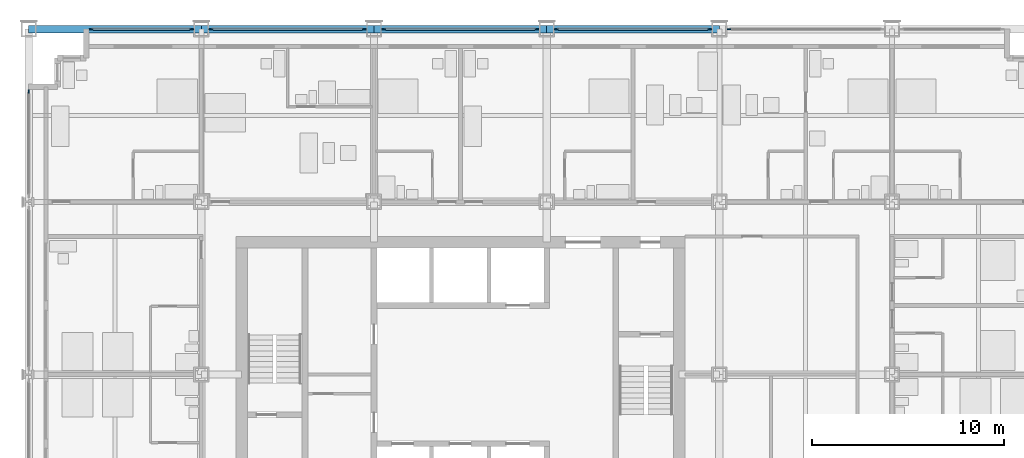
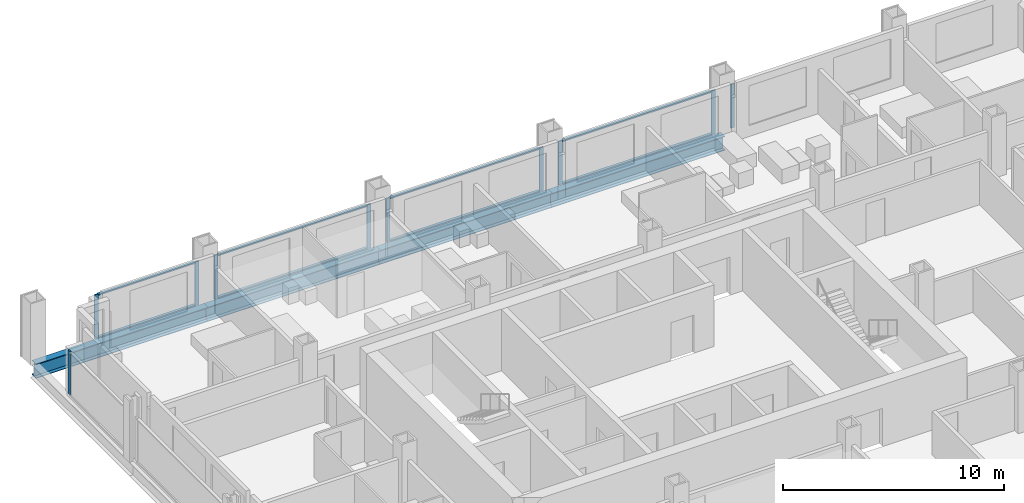
# One storey, part 7 of 18: 18 members, 4 beams, 6 elements without a shape of their own.
"""IFC4 building model written with IfcOpenShell, lengths in metres."""

import ifcopenshell
import ifcopenshell.guid

model = None  # the IFC model being written
_history = None  # IfcOwnerHistory: only IFC2X3 demands one
_inside = {}  # id of a spatial element -> (the spatial element, [elements in it])
_under = {}  # id of a project, library or spatial element -> (it, [spatial elements below it])
_declared = {}  # id of a project -> (the project, [libraries it declares])
_typed = {}  # id of a type object -> (the type object, [elements of that type])
_made_of = {}  # id of a material, layer set ... -> (it, [elements and type objects made of it])


def new_model(schema):
    """Start an empty IFC model of exactly this schema.

    Asked for "IFC4X3", IfcOpenShell would pick the latest addendum, in which some entities
    have other attributes; the version numbers below select the first issue.
    IFC2X3 requires an IfcOwnerHistory on every rooted entity: one is made here for all.
    """
    global model, _history
    if schema == "IFC4X3":
        model = ifcopenshell.file(schema_version=(4, 3, 0, 0))
    else:
        model = ifcopenshell.file(schema=schema)
    _inside.clear()
    _under.clear()
    _declared.clear()
    _typed.clear()
    _made_of.clear()
    _history = None
    if model.schema == "IFC2X3":
        org = make("IfcOrganization", Name="unknown")
        user = make(
            "IfcPersonAndOrganization",
            ThePerson=make("IfcPerson", FamilyName="unknown"),
            TheOrganization=org,
        )
        app = make(
            "IfcApplication",
            ApplicationDeveloper=org,
            Version="unknown",
            ApplicationFullName="unknown",
            ApplicationIdentifier="unknown",
        )
        _history = make(
            "IfcOwnerHistory",
            OwningUser=user,
            OwningApplication=app,
            ChangeAction="ADDED",
            CreationDate=0,
        )
    return model


def make(cls, **values):
    """One entity of the class cls with the attributes given. An attribute that is None is left unset."""
    return model.create_entity(
        cls, **{name: value for name, value in values.items() if value is not None}
    )


def rooted(cls, **values):
    """An entity with a GlobalId (a new one), such as an element, a storey or a relation."""
    return make(cls, GlobalId=ifcopenshell.guid.new(), OwnerHistory=_history, **values)


def si_unit(unit_type, name, prefix=None):
    """IfcSIUnit, for example si_unit("LENGTHUNIT", "METRE", prefix="MILLI")."""
    return make("IfcSIUnit", UnitType=unit_type, Prefix=prefix, Name=name)


def assignment(units):
    """IfcUnitAssignment: the units of a project."""
    return None if units is None else make("IfcUnitAssignment", Units=units)


def point(xyz):
    """IfcCartesianPoint."""
    return None if xyz is None else make("IfcCartesianPoint", Coordinates=xyz)


def direction(xyz):
    """IfcDirection."""
    return None if xyz is None else make("IfcDirection", DirectionRatios=xyz)


def frame(location, z_axis=None, x_axis=None):
    """IfcAxis2Placement3D, a coordinate frame: its origin and axes. An axis left out is left unset."""
    return make(
        "IfcAxis2Placement3D",
        Location=point(location),
        Axis=direction(z_axis),
        RefDirection=direction(x_axis),
    )


def frame_2d(location, x_axis=None):
    """IfcAxis2Placement2D, a coordinate frame in the plane: its origin and x axis."""
    return make(
        "IfcAxis2Placement2D", Location=point(location), RefDirection=direction(x_axis)
    )


def origin():
    """The frame at (0, 0, 0) with its axes left unset."""
    return frame((0.0, 0.0, 0.0))


def origin_2d():
    """The frame at (0, 0) in the plane with its x axis left unset."""
    return frame_2d((0.0, 0.0))


def place(relative_to, where):
    """IfcLocalPlacement: puts the frame where relative to a parent placement (None: the world)."""
    return make(
        "IfcLocalPlacement", PlacementRelTo=relative_to, RelativePlacement=where
    )


def context(
    kind, dimensions, precision=None, world=None, true_north=None, identifier=None
):
    """IfcGeometricRepresentationContext, for example the 3D "Model" context."""
    return make(
        "IfcGeometricRepresentationContext",
        ContextIdentifier=identifier,
        ContextType=kind,
        CoordinateSpaceDimension=dimensions,
        Precision=precision,
        WorldCoordinateSystem=world,
        TrueNorth=true_north,
    )


def subcontext(parent, identifier, kind, view, scale=None):
    """IfcGeometricRepresentationSubContext, for example "Body" below "Model"."""
    return make(
        "IfcGeometricRepresentationSubContext",
        ContextIdentifier=identifier,
        ContextType=kind,
        ParentContext=parent,
        TargetScale=scale,
        TargetView=view,
    )


def project(units=None, contexts=None):
    """IfcProject with its units and contexts."""
    return rooted(
        "IfcProject",
        Name="project",
        RepresentationContexts=contexts,
        UnitsInContext=assignment(units),
    )


def spatial(cls, under=None, at=None, **own):
    """A site, building, storey or space (cls), placed at a placement, below another one or the project."""
    s = rooted(cls, ObjectPlacement=at, **own)
    if under is not None:
        _under.setdefault(under.id(), (under, []))[1].append(s)
    return s


def profile(cls, at=None, kind="AREA", **sizes):
    """A parametric profile (cls). Its sizes go by their IFC names, for example OverallWidth=200.0."""
    return make(cls, ProfileType=kind, Position=at, **sizes)


def rectangle(**sizes):
    """IfcRectangleProfileDef."""
    return profile("IfcRectangleProfileDef", **sizes)


def i_section(**sizes):
    """IfcIShapeProfileDef."""
    return profile("IfcIShapeProfileDef", **sizes)


def extrude(swept, where, along, depth):
    """IfcExtrudedAreaSolid: the profile swept, set in the frame where, extruded along a direction by depth."""
    return make(
        "IfcExtrudedAreaSolid",
        SweptArea=swept,
        Position=where,
        ExtrudedDirection=direction(along),
        Depth=depth,
    )


def shape(context_of_items, identifier, shape_type, items):
    """IfcShapeRepresentation: the items that make up one representation, for example the "Body"."""
    return make(
        "IfcShapeRepresentation",
        ContextOfItems=context_of_items,
        RepresentationIdentifier=identifier,
        RepresentationType=shape_type,
        Items=items,
    )


def material(Name=None, Category=None):
    """IfcMaterial."""
    return make("IfcMaterial", Name=Name, Category=Category)


def material_profile(
    of_material, cross_section, Name=None, Category=None, Priority=None
):
    """IfcMaterialProfile: a cross section and its material."""
    return make(
        "IfcMaterialProfile",
        Name=Name,
        Material=of_material,
        Profile=cross_section,
        Priority=Priority,
        Category=Category,
    )


def profile_set(profiles, Name=None, composite=None):
    """IfcMaterialProfileSet."""
    return make(
        "IfcMaterialProfileSet",
        Name=Name,
        MaterialProfiles=profiles,
        CompositeProfile=composite,
    )


def made_of(thing, what):
    """Note that an element or type object is made of a material, layer set ...; save() writes the relation."""
    if what is not None:
        _made_of.setdefault(what.id(), (what, []))[1].append(thing)
    return thing


def type_object(cls, material=None, **own):
    """A type object (cls), such as IfcWallType, which elements share."""
    return made_of(rooted(cls, **own), material)


def element(
    cls,
    number,
    at=None,
    inside=None,
    cuts=None,
    type_object=None,
    material=None,
    context=None,
    identifier="Body",
    shape_type=None,
    held_by="IfcProductDefinitionShape",
    body=None,
    shapes=None,
    **own,
):
    """One element of the class cls, such as IfcWall. Its Tag is "e" and its number.

    at: its placement. inside: the storey or other place that contains it. cuts: it is an
    opening in that element (IfcRelVoidsElement). A single representation is given by context,
    identifier, shape_type and body (its items); several are given by shapes. held_by: the class
    of the entity that holds the representations. save() writes the other relations.
    """
    e = rooted(cls, Tag="e%d" % number, ObjectPlacement=at, **own)
    if body is not None:
        shapes = [shape(context, identifier, shape_type, body)]
    if shapes is not None:
        e.Representation = make(held_by, Representations=shapes)
    if inside is not None:
        _inside.setdefault(inside.id(), (inside, []))[1].append(e)
    if cuts is not None:
        rooted(
            "IfcRelVoidsElement", RelatingBuildingElement=cuts, RelatedOpeningElement=e
        )
    if type_object is not None:
        _typed.setdefault(type_object.id(), (type_object, []))[1].append(e)
    return made_of(e, material)


def aggregate(whole, parts):
    """IfcRelAggregates: a whole, such as a stair, and the parts it consists of."""
    return rooted("IfcRelAggregates", RelatingObject=whole, RelatedObjects=parts)


def save(model, path):
    """Write the relations noted so far, then the file.

    IfcRelAggregates (storeys below a building ...), IfcRelContainedInSpatialStructure (elements
    in a storey), IfcRelDefinesByType, IfcRelAssociatesMaterial and IfcRelDeclares: one each for
    every whole, place, type object, material and project.
    """
    for whole, parts in _under.values():
        aggregate(whole, parts)
    for where, things in _inside.values():
        rooted(
            "IfcRelContainedInSpatialStructure",
            RelatedElements=things,
            RelatingStructure=where,
        )
    for kind, things in _typed.values():
        rooted("IfcRelDefinesByType", RelatedObjects=things, RelatingType=kind)
    for what, things in _made_of.values():
        rooted("IfcRelAssociatesMaterial", RelatedObjects=things, RelatingMaterial=what)
    for by, libraries in _declared.values():
        rooted("IfcRelDeclares", RelatingContext=by, RelatedDefinitions=libraries)
    model.write(path)


model = new_model("IFC4")

# Units and contexts
model_context = context("Model", 3, precision=1e-05, world=origin(), true_north=direction((0.0, 1.0)))
body_context = subcontext(model_context, "Body", "Model", "MODEL_VIEW")
ifc_project = project(units=[si_unit("LENGTHUNIT", "METRE"), si_unit("AREAUNIT", "SQUARE_METRE"), si_unit("VOLUMEUNIT", "CUBIC_METRE"), si_unit("PLANEANGLEUNIT", "RADIAN"), si_unit("MASSUNIT", "GRAM", prefix="KILO")], contexts=[model_context])

# Site, building, storey
site_placement = place(None, origin())
site = spatial("IfcSite", under=ifc_project, at=site_placement, CompositionType="ELEMENT")
building_placement = place(site_placement, origin())
building = spatial("IfcBuilding", under=site, at=building_placement, Name="Loomwork Tower", CompositionType="ELEMENT")
storey_placement = place(building_placement, frame((0.0, 0.0, 72.199951171875)))
storey = spatial("IfcBuildingStorey", under=building, at=storey_placement, Name="L18", CompositionType="ELEMENT", Elevation=72.199951171875)

# Curtain wall, members
ifc_material_1 = material(Name="Aluminium curtain wall frame", Category="aluminium")
curtain_wall_type = type_object("IfcCurtainWallType", Name="Outer skin glazing hotel", PredefinedType="NOTDEFINED", material=ifc_material_1)
curtain_wall_1_placement = place(storey_placement, origin())
curtain_wall_1 = element("IfcCurtainWall", 1, at=curtain_wall_1_placement, inside=storey, type_object=curtain_wall_type, Name="Outer skin glazing hotel cw/N-0", PredefinedType="NOTDEFINED")
ifc_material_2 = material(Name="Aluminium curtain wall frame", Category="aluminium")
ifc_material_profile_1 = material_profile(ifc_material_2, rectangle(XDim=0.06494140625, YDim=0.199951171875, at=origin_2d()), Name="AL 65x200")
ifc_profile_set_1 = profile_set([ifc_material_profile_1], Name="Aluminium curtain wall frame")
member_type_1 = type_object("IfcMemberType", Name="Outer skin glazing hotel mullion", PredefinedType="MULLION", material=ifc_profile_set_1)
member_1_placement = place(storey_placement, frame((8.5, 36.0, 0.0), z_axis=(0.0, 0.0, 1.0), x_axis=(0.0, -1.0, 0.0)))
member_1 = element("IfcMember", 2, at=member_1_placement, type_object=member_type_1, Name="CW1 mullion 1", PredefinedType="MULLION", context=body_context, shape_type="SweptSolid", body=[
    extrude(rectangle(XDim=0.06494140625, YDim=0.199951171875, at=origin_2d()), origin(), (0.0, 0.0, 1.0), 2.420166015625),
])
member_2_placement = place(storey_placement, frame((3.25, 36.0, 0.0), z_axis=(0.0, 0.0, 1.0), x_axis=(0.0, -1.0, 0.0)))
member_2 = element("IfcMember", 3, at=member_2_placement, type_object=member_type_1, Name="CW1 mullion 2", PredefinedType="MULLION", context=body_context, shape_type="SweptSolid", body=[
    extrude(rectangle(XDim=0.06494140625, YDim=0.199951171875, at=origin_2d()), origin(), (0.0, 0.0, 1.0), 2.420166015625),
])

curtain_wall_2_placement = place(storey_placement, origin())
curtain_wall_2 = element("IfcCurtainWall", 4, at=curtain_wall_2_placement, inside=storey, type_object=curtain_wall_type, Name="Outer skin glazing hotel cw/N-9", PredefinedType="NOTDEFINED")
member_3_placement = place(storey_placement, frame((17.5, 36.0, 0.0), z_axis=(0.0, 0.0, 1.0), x_axis=(0.0, -1.0, 0.0)))
member_3 = element("IfcMember", 5, at=member_3_placement, type_object=member_type_1, Name="CW1 mullion 1", PredefinedType="MULLION", context=body_context, shape_type="SweptSolid", body=[
    extrude(rectangle(XDim=0.06494140625, YDim=0.199951171875, at=origin_2d()), origin(), (0.0, 0.0, 1.0), 2.420166015625),
])
member_4_placement = place(storey_placement, frame((9.5, 36.0, 0.0), z_axis=(0.0, 0.0, 1.0), x_axis=(0.0, -1.0, 0.0)))
member_4 = element("IfcMember", 6, at=member_4_placement, type_object=member_type_1, Name="CW1 mullion 2", PredefinedType="MULLION", context=body_context, shape_type="SweptSolid", body=[
    extrude(rectangle(XDim=0.06494140625, YDim=0.199951171875, at=origin_2d()), origin(), (0.0, 0.0, 1.0), 2.420166015625),
])

curtain_wall_3_placement = place(storey_placement, origin())
curtain_wall_3 = element("IfcCurtainWall", 7, at=curtain_wall_3_placement, inside=storey, type_object=curtain_wall_type, Name="Outer skin glazing hotel cw/N-18", PredefinedType="NOTDEFINED")
member_5_placement = place(storey_placement, frame((26.5, 36.0, 0.0), z_axis=(0.0, 0.0, 1.0), x_axis=(0.0, -1.0, 0.0)))
member_5 = element("IfcMember", 8, at=member_5_placement, type_object=member_type_1, Name="CW1 mullion 1", PredefinedType="MULLION", context=body_context, shape_type="SweptSolid", body=[
    extrude(rectangle(XDim=0.06494140625, YDim=0.199951171875, at=origin_2d()), origin(), (0.0, 0.0, 1.0), 2.420166015625),
])
member_6_placement = place(storey_placement, frame((18.5, 36.0, 0.0), z_axis=(0.0, 0.0, 1.0), x_axis=(0.0, -1.0, 0.0)))
member_6 = element("IfcMember", 9, at=member_6_placement, type_object=member_type_1, Name="CW1 mullion 2", PredefinedType="MULLION", context=body_context, shape_type="SweptSolid", body=[
    extrude(rectangle(XDim=0.06494140625, YDim=0.199951171875, at=origin_2d()), origin(), (0.0, 0.0, 1.0), 2.420166015625),
])

curtain_wall_4_placement = place(storey_placement, origin())
curtain_wall_4 = element("IfcCurtainWall", 10, at=curtain_wall_4_placement, inside=storey, type_object=curtain_wall_type, Name="Outer skin glazing hotel cw/N-27", PredefinedType="NOTDEFINED")
member_7_placement = place(storey_placement, frame((35.5, 36.0, 0.0), z_axis=(0.0, 0.0, 1.0), x_axis=(0.0, -1.0, 0.0)))
member_7 = element("IfcMember", 11, at=member_7_placement, type_object=member_type_1, Name="CW1 mullion 1", PredefinedType="MULLION", context=body_context, shape_type="SweptSolid", body=[
    extrude(rectangle(XDim=0.06494140625, YDim=0.199951171875, at=origin_2d()), origin(), (0.0, 0.0, 1.0), 2.420166015625),
])
member_8_placement = place(storey_placement, frame((27.5, 36.0, 0.0), z_axis=(0.0, 0.0, 1.0), x_axis=(0.0, -1.0, 0.0)))
member_8 = element("IfcMember", 12, at=member_8_placement, type_object=member_type_1, Name="CW1 mullion 2", PredefinedType="MULLION", context=body_context, shape_type="SweptSolid", body=[
    extrude(rectangle(XDim=0.06494140625, YDim=0.199951171875, at=origin_2d()), origin(), (0.0, 0.0, 1.0), 2.420166015625),
])

# Curtain wall, member
curtain_wall_5_placement = place(storey_placement, origin())
curtain_wall_5 = element("IfcCurtainWall", 13, at=curtain_wall_5_placement, inside=storey, type_object=curtain_wall_type, Name="Outer skin glazing hotel cw/N-36", PredefinedType="NOTDEFINED")
member_9_placement = place(storey_placement, frame((36.5, 36.0, 0.0), z_axis=(0.0, 0.0, 1.0), x_axis=(0.0, -1.0, 0.0)))
member_9 = element("IfcMember", 14, at=member_9_placement, type_object=member_type_1, Name="CW1 mullion 2", PredefinedType="MULLION", context=body_context, shape_type="SweptSolid", body=[
    extrude(rectangle(XDim=0.06494140625, YDim=0.199951171875, at=origin_2d()), origin(), (0.0, 0.0, 1.0), 2.420166015625),
])
aggregate(curtain_wall_5, [member_9])

curtain_wall_6_placement = place(storey_placement, origin())
curtain_wall_6 = element("IfcCurtainWall", 15, at=curtain_wall_6_placement, inside=storey, type_object=curtain_wall_type, Name="Outer skin glazing hotel cw/W-27", PredefinedType="NOTDEFINED")
member_10_placement = place(storey_placement, frame((0.0, 32.75, 0.0), z_axis=(0.0, 0.0, 1.0), x_axis=(1.0, 0.0, 0.0)))
member_10 = element("IfcMember", 16, at=member_10_placement, type_object=member_type_1, Name="CW1 mullion 1", PredefinedType="MULLION", context=body_context, shape_type="SweptSolid", body=[
    extrude(rectangle(XDim=0.06494140625, YDim=0.199951171875, at=origin_2d()), origin(), (0.0, 0.0, 1.0), 2.420166015625),
])
aggregate(curtain_wall_6, [member_10])

# Member
ifc_material_3 = material(Name="Aluminium curtain wall frame", Category="aluminium")
ifc_material_profile_2 = material_profile(ifc_material_3, rectangle(XDim=0.14990234375, YDim=0.06494140625, at=origin_2d()), Name="AL 65x150")
ifc_profile_set_2 = profile_set([ifc_material_profile_2], Name="Aluminium curtain wall frame")
member_type_2 = type_object("IfcMemberType", Name="Outer skin glazing hotel transom", PredefinedType="USERDEFINED", material=ifc_profile_set_2)
member_11_placement = place(storey_placement, frame((8.39990234375, 36.0, 0.032470703125), z_axis=(-1.0, 0.0, 0.0), x_axis=(0.0, -1.0, 0.0)))
member_11 = element("IfcMember", 17, at=member_11_placement, type_object=member_type_2, Name="CW1 transom 1.1", ObjectType="TRANSOM", PredefinedType="USERDEFINED", context=body_context, shape_type="SweptSolid", body=[
    extrude(rectangle(XDim=0.14990234375, YDim=0.06494140625, at=origin_2d()), origin(), (0.0, 0.0, 1.0), 5.0498046875),
])

member_12_placement = place(storey_placement, frame((8.39990234375, 36.0, 2.3876953125), z_axis=(-1.0, 0.0, 0.0), x_axis=(0.0, -1.0, 0.0)))
member_12 = element("IfcMember", 18, at=member_12_placement, type_object=member_type_2, Name="CW1 transom 1.2", ObjectType="TRANSOM", PredefinedType="USERDEFINED", context=body_context, shape_type="SweptSolid", body=[
    extrude(rectangle(XDim=0.14990234375, YDim=0.06494140625, at=origin_2d()), origin(), (0.0, 0.0, 1.0), 5.0498046875),
])

aggregate(curtain_wall_1, [member_1, member_2, member_11, member_12])

member_13_placement = place(storey_placement, frame((17.39990234375, 36.0, 0.032470703125), z_axis=(-1.0, 0.0, 0.0), x_axis=(0.0, -1.0, 0.0)))
member_13 = element("IfcMember", 19, at=member_13_placement, type_object=member_type_2, Name="CW1 transom 1.1", ObjectType="TRANSOM", PredefinedType="USERDEFINED", context=body_context, shape_type="SweptSolid", body=[
    extrude(rectangle(XDim=0.14990234375, YDim=0.06494140625, at=origin_2d()), origin(), (0.0, 0.0, 1.0), 7.7998046875),
])

member_14_placement = place(storey_placement, frame((17.39990234375, 36.0, 2.3876953125), z_axis=(-1.0, 0.0, 0.0), x_axis=(0.0, -1.0, 0.0)))
member_14 = element("IfcMember", 20, at=member_14_placement, type_object=member_type_2, Name="CW1 transom 1.2", ObjectType="TRANSOM", PredefinedType="USERDEFINED", context=body_context, shape_type="SweptSolid", body=[
    extrude(rectangle(XDim=0.14990234375, YDim=0.06494140625, at=origin_2d()), origin(), (0.0, 0.0, 1.0), 7.7998046875),
])

aggregate(curtain_wall_2, [member_3, member_4, member_13, member_14])

member_15_placement = place(storey_placement, frame((26.39990234375, 36.0, 0.032470703125), z_axis=(-1.0, 0.0, 0.0), x_axis=(0.0, -1.0, 0.0)))
member_15 = element("IfcMember", 21, at=member_15_placement, type_object=member_type_2, Name="CW1 transom 1.1", ObjectType="TRANSOM", PredefinedType="USERDEFINED", context=body_context, shape_type="SweptSolid", body=[
    extrude(rectangle(XDim=0.14990234375, YDim=0.06494140625, at=origin_2d()), origin(), (0.0, 0.0, 1.0), 7.7998046875),
])

member_16_placement = place(storey_placement, frame((26.39990234375, 36.0, 2.3876953125), z_axis=(-1.0, 0.0, 0.0), x_axis=(0.0, -1.0, 0.0)))
member_16 = element("IfcMember", 22, at=member_16_placement, type_object=member_type_2, Name="CW1 transom 1.2", ObjectType="TRANSOM", PredefinedType="USERDEFINED", context=body_context, shape_type="SweptSolid", body=[
    extrude(rectangle(XDim=0.14990234375, YDim=0.06494140625, at=origin_2d()), origin(), (0.0, 0.0, 1.0), 7.7998046875),
])

aggregate(curtain_wall_3, [member_5, member_6, member_15, member_16])

member_17_placement = place(storey_placement, frame((35.39990234375, 36.0, 0.032470703125), z_axis=(-1.0, 0.0, 0.0), x_axis=(0.0, -1.0, 0.0)))
member_17 = element("IfcMember", 23, at=member_17_placement, type_object=member_type_2, Name="CW1 transom 1.1", ObjectType="TRANSOM", PredefinedType="USERDEFINED", context=body_context, shape_type="SweptSolid", body=[
    extrude(rectangle(XDim=0.14990234375, YDim=0.06494140625, at=origin_2d()), origin(), (0.0, 0.0, 1.0), 7.7998046875),
])

member_18_placement = place(storey_placement, frame((35.39990234375, 36.0, 2.3876953125), z_axis=(-1.0, 0.0, 0.0), x_axis=(0.0, -1.0, 0.0)))
member_18 = element("IfcMember", 24, at=member_18_placement, type_object=member_type_2, Name="CW1 transom 1.2", ObjectType="TRANSOM", PredefinedType="USERDEFINED", context=body_context, shape_type="SweptSolid", body=[
    extrude(rectangle(XDim=0.14990234375, YDim=0.06494140625, at=origin_2d()), origin(), (0.0, 0.0, 1.0), 7.7998046875),
])

aggregate(curtain_wall_4, [member_7, member_8, member_17, member_18])

# Beams
ifc_material_4 = material(Name="Steel ASTM A992", Category="steel")
ifc_material_profile_3 = material_profile(ifc_material_4, i_section(OverallWidth=0.381103515625, OverallDepth=0.77978515625, WebThickness=0.01806640625, FlangeThickness=0.0302734375, at=origin_2d()), Name="W30x191")
ifc_profile_set_3 = profile_set([ifc_material_profile_3], Name="Steel ASTM A992")
beam_type = type_object("IfcBeamType", Name="SPANDREL GIRDER W30x191", PredefinedType="SPANDREL", material=ifc_profile_set_3)
for number, where, z_axis, x_axis, name in (
    (25, (0.0, 36.0, -0.58984375), (1.0, 0.0, 0.0), (0.0, 1.0, 0.0), "Spandrel Girder H/2-H/3 L18"),
    (26, (9.0, 36.0, -0.58984375), (1.0, 0.0, 0.0), (0.0, 1.0, 0.0), "Spandrel Girder H/3-H/4 L18"),
    (27, (18.0, 36.0, -0.58984375), (1.0, 0.0, 0.0), (0.0, 1.0, 0.0), "Spandrel Girder H/4-H/5 L18"),
    (28, (27.0, 36.0, -0.58984375), (1.0, 0.0, 0.0), (0.0, 1.0, 0.0), "Spandrel Girder H/5-H/6 L18"),
):
    element("IfcBeam", number, at=place(storey_placement, frame(where, z_axis=z_axis, x_axis=x_axis)), inside=storey, type_object=beam_type, Name=name, PredefinedType="SPANDREL", context=body_context, shape_type="SweptSolid", body=[
        extrude(i_section(OverallWidth=0.381103515625, OverallDepth=0.77978515625, WebThickness=0.01806640625, FlangeThickness=0.0302734375, at=origin_2d()), origin(), (0.0, 0.0, 1.0), 9.0),
    ])

save(model, "model.ifc")
